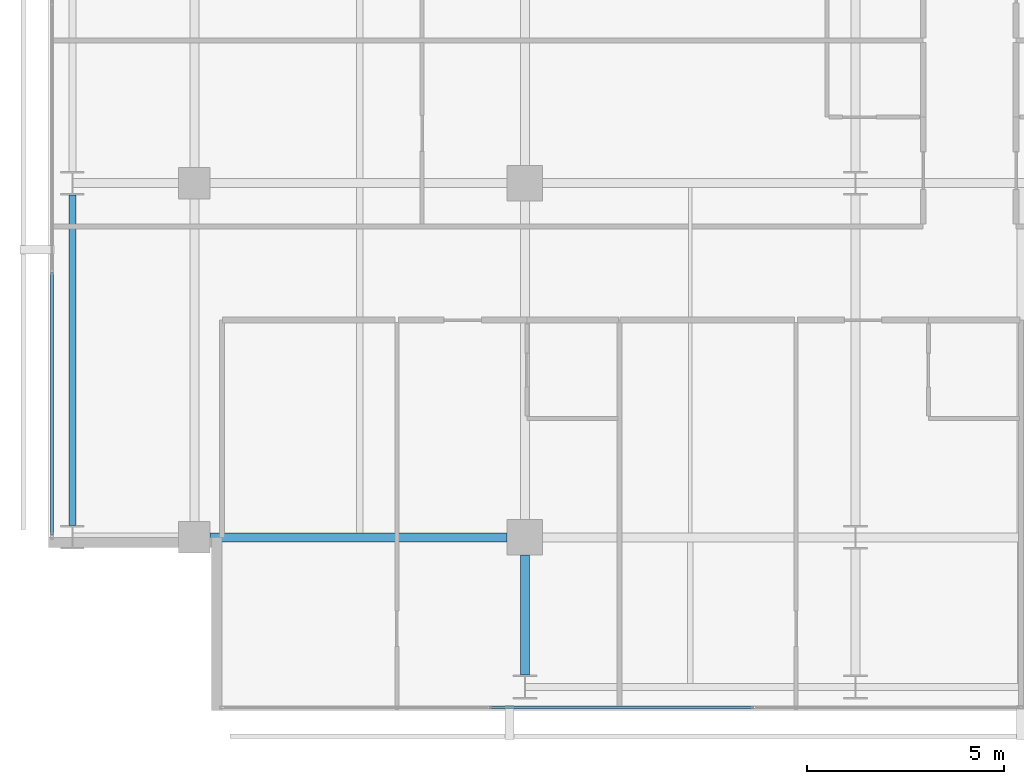
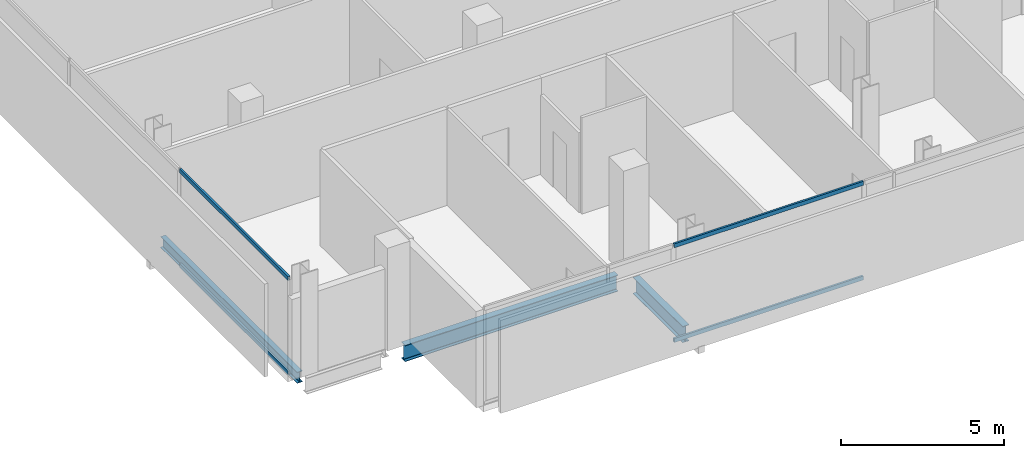
# One storey, part 3 of 33: 4 members, 3 beams, 2 elements without a shape of their own.
"""IFC4 building model written with IfcOpenShell, lengths in metres."""

from ifc_helpers import new_model, si_unit, direction, frame, origin, origin_2d, place, context, subcontext, project, spatial, hollow_rectangle, i_section, extrude, material, layer, layer_set, material_profile, profile_set, type_object, element, aggregate, save


model = new_model("IFC4")

# Units and contexts
model_context = context("Model", 3, precision=1e-05, world=origin(), true_north=direction((0.0, 1.0)))
body_context = subcontext(model_context, "Body", "Model", "MODEL_VIEW")
ifc_project = project(units=[si_unit("LENGTHUNIT", "METRE"), si_unit("AREAUNIT", "SQUARE_METRE"), si_unit("VOLUMEUNIT", "CUBIC_METRE"), si_unit("PLANEANGLEUNIT", "RADIAN"), si_unit("MASSUNIT", "GRAM", prefix="KILO")], contexts=[model_context])

# Site, building, storey
site_placement = place(None, origin())
site = spatial("IfcSite", under=ifc_project, at=site_placement, CompositionType="ELEMENT")
building_placement = place(site_placement, origin())
building = spatial("IfcBuilding", under=site, at=building_placement, Name="Maruvema Waterfront Hotel and Observation Tower", CompositionType="ELEMENT")
storey_placement = place(building_placement, frame((0.0, 0.0, 138.949951171875)))
storey = spatial("IfcBuildingStorey", under=building, at=storey_placement, Name="L33", CompositionType="ELEMENT", Elevation=138.949951171875)

# Curtain wall, members
ifc_material_1 = material(Name="Anodised bronze aluminium and solar-control low-E IGU", Category="aluminium")
ifc_layer = layer(ifc_material_1, 0.159912109375, Name="Zone 2 Amber Inner Thermal Curtain Wall System CW-03")
ifc_layer_set = layer_set([ifc_layer], Name="Anodised bronze aluminium and solar-control low-E IGU")
curtain_wall_type = type_object("IfcCurtainWallType", Name="Zone 2 Amber Inner Thermal Curtain Wall System CW-03", PredefinedType="USERDEFINED", material=ifc_layer_set)
curtain_wall_1_placement = place(storey_placement, origin())
curtain_wall_1 = element("IfcCurtainWall", 1, at=curtain_wall_1_placement, inside=storey, type_object=curtain_wall_type, Name="L33 Curtain Wall CW-L33-S", ObjectType="UNITISED CURTAIN WALL", PredefinedType="USERDEFINED")
ifc_material_2 = material(Name="Anodised architectural bronze aluminium", Category="aluminium")
ifc_material_profile_1 = material_profile(ifc_material_2, hollow_rectangle(XDim=0.070068359375, YDim=0.14990234375, WallThickness=0.00390625, at=origin_2d()), Name="ALU-T70x150")
ifc_profile_set_1 = profile_set([ifc_material_profile_1], Name="Anodised architectural bronze aluminium")
member_type = type_object("IfcMemberType", Name="Curtain Wall Horizontal Transom ALU-T70x150", PredefinedType="USERDEFINED", material=ifc_profile_set_1)
member_1_placement = place(storey_placement, frame((24.296630859375, 4.679931640625, 0.030029296875), z_axis=(1.0, 0.0, 0.0), x_axis=(0.0, 1.0, 0.0)))
member_1 = element("IfcMember", 2, at=member_1_placement, type_object=member_type, Name="CW-03 transom 2.1", ObjectType="TRANSOM", PredefinedType="USERDEFINED", context=body_context, shape_type="SweptSolid", body=[
    extrude(hollow_rectangle(XDim=0.070068359375, YDim=0.14990234375, WallThickness=0.00390625, at=origin_2d()), origin(), (0.0, 0.0, 1.0), 6.706787109375),
])
member_2_placement = place(storey_placement, frame((24.296630859375, 4.679931640625, 3.580078125), z_axis=(1.0, 0.0, 0.0), x_axis=(0.0, 1.0, 0.0)))
member_2 = element("IfcMember", 3, at=member_2_placement, type_object=member_type, Name="CW-03 transom 2.2", ObjectType="TRANSOM", PredefinedType="USERDEFINED", context=body_context, shape_type="SweptSolid", body=[
    extrude(hollow_rectangle(XDim=0.070068359375, YDim=0.14990234375, WallThickness=0.00390625, at=origin_2d()), origin(), (0.0, 0.0, 1.0), 6.706787109375),
])
aggregate(curtain_wall_1, [member_1, member_2])

curtain_wall_2_placement = place(storey_placement, origin())
curtain_wall_2 = element("IfcCurtainWall", 4, at=curtain_wall_2_placement, inside=storey, type_object=curtain_wall_type, Name="L33 Curtain Wall CW-L33-W", ObjectType="UNITISED CURTAIN WALL", PredefinedType="USERDEFINED")
member_3_placement = place(storey_placement, frame((13.179931640625, 15.736572265625, 0.030029296875), z_axis=(0.0, -1.0, 0.0), x_axis=(1.0, 0.0, 0.0)))
member_3 = element("IfcMember", 5, at=member_3_placement, type_object=member_type, Name="CW-03 transom 6.1", ObjectType="TRANSOM", PredefinedType="USERDEFINED", context=body_context, shape_type="SweptSolid", body=[
    extrude(hollow_rectangle(XDim=0.070068359375, YDim=0.14990234375, WallThickness=0.00390625, at=origin_2d()), origin(), (0.0, 0.0, 1.0), 6.676513671875),
])
member_4_placement = place(storey_placement, frame((13.179931640625, 15.736572265625, 3.580078125), z_axis=(0.0, -1.0, 0.0), x_axis=(1.0, 0.0, 0.0)))
member_4 = element("IfcMember", 6, at=member_4_placement, type_object=member_type, Name="CW-03 transom 6.2", ObjectType="TRANSOM", PredefinedType="USERDEFINED", context=body_context, shape_type="SweptSolid", body=[
    extrude(hollow_rectangle(XDim=0.070068359375, YDim=0.14990234375, WallThickness=0.00390625, at=origin_2d()), origin(), (0.0, 0.0, 1.0), 6.676513671875),
])
aggregate(curtain_wall_2, [member_3, member_4])

# Beams
ifc_material_3 = material(Name="Steel ASTM A572 Grade 50", Category="steel")
ifc_material_profile_2 = material_profile(ifc_material_3, i_section(OverallWidth=0.180908203125, OverallDepth=0.4169921875, WebThickness=0.010986328125, FlangeThickness=0.018310546875, FilletRadius=0.014892578125, at=origin_2d()), Name="W410x85.0")
ifc_profile_set_2 = profile_set([ifc_material_profile_2], Name="Steel ASTM A572 Grade 50")
beam_type_1 = type_object("IfcBeamType", Name="Perimeter Spandrel Beam W410x85.0", PredefinedType="SPANDREL", material=ifc_profile_set_2)
beam_1_placement = place(storey_placement, frame((13.699951171875, 9.300048828125, -0.448486328125), z_axis=(0.0, 1.0, 0.0), x_axis=(-1.0, 0.0, 0.0)))
element("IfcBeam", 7, at=beam_1_placement, inside=storey, type_object=beam_type_1, Name="L33 Floor Girder NS-01", PredefinedType="SPANDREL", context=body_context, shape_type="SweptSolid", body=[
    extrude(i_section(OverallWidth=0.180908203125, OverallDepth=0.4169921875, WebThickness=0.010986328125, FlangeThickness=0.018310546875, FilletRadius=0.014892578125, at=origin_2d()), origin(), (0.0, 0.0, 1.0), 8.39990234375),
])
ifc_material_4 = material(Name="Steel ASTM A572 Grade 50", Category="steel")
ifc_material_profile_3 = material_profile(ifc_material_4, i_section(OverallWidth=0.22900390625, OverallDepth=0.612060546875, WebThickness=0.011962890625, FlangeThickness=0.01953125, FilletRadius=0.01806640625, at=origin_2d()), Name="W610x125.0")
ifc_profile_set_3 = profile_set([ifc_material_profile_3], Name="Steel ASTM A572 Grade 50")
beam_type_2 = type_object("IfcBeamType", Name="Primary Floor Girder W610x125.0", PredefinedType="BEAM", material=ifc_profile_set_3)
beam_2_placement = place(storey_placement, frame((17.199951171875, 9.0, -0.5458984375), z_axis=(1.0, 0.0, 0.0), x_axis=(0.0, 1.0, 0.0)))
element("IfcBeam", 8, at=beam_2_placement, inside=storey, type_object=beam_type_2, Name="L33 Floor Girder EW-05", PredefinedType="BEAM", context=body_context, shape_type="SweptSolid", body=[
    extrude(i_section(OverallWidth=0.22900390625, OverallDepth=0.612060546875, WebThickness=0.011962890625, FlangeThickness=0.01953125, FilletRadius=0.01806640625, at=origin_2d()), origin(), (0.0, 0.0, 1.0), 7.550048828125),
])
beam_3_placement = place(storey_placement, frame((25.199951171875, 5.5, -0.5458984375), z_axis=(0.0, 1.0, 0.0), x_axis=(-1.0, 0.0, 0.0)))
element("IfcBeam", 9, at=beam_3_placement, inside=storey, type_object=beam_type_2, Name="L33 Floor Girder NS-09", PredefinedType="BEAM", context=body_context, shape_type="SweptSolid", body=[
    extrude(i_section(OverallWidth=0.22900390625, OverallDepth=0.612060546875, WebThickness=0.011962890625, FlangeThickness=0.01953125, FilletRadius=0.01806640625, at=origin_2d()), origin(), (0.0, 0.0, 1.0), 3.050048828125),
])

save(model, "model.ifc")
